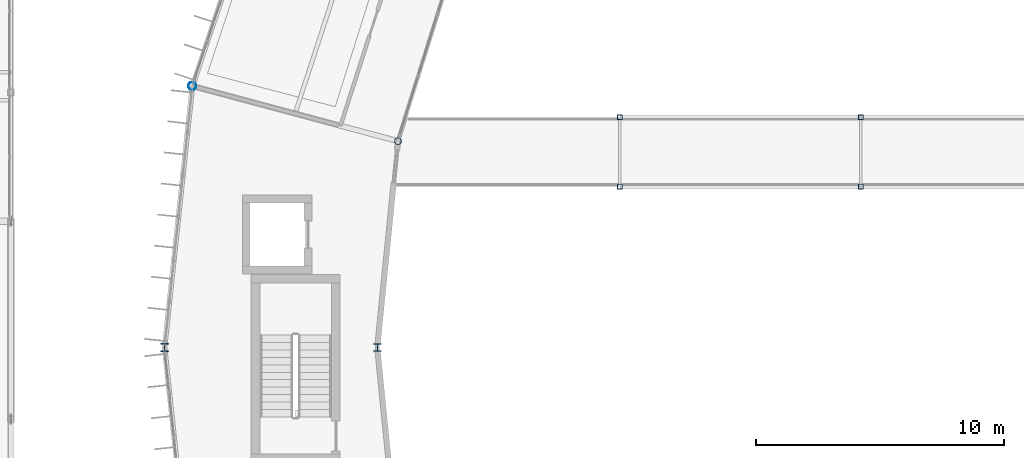
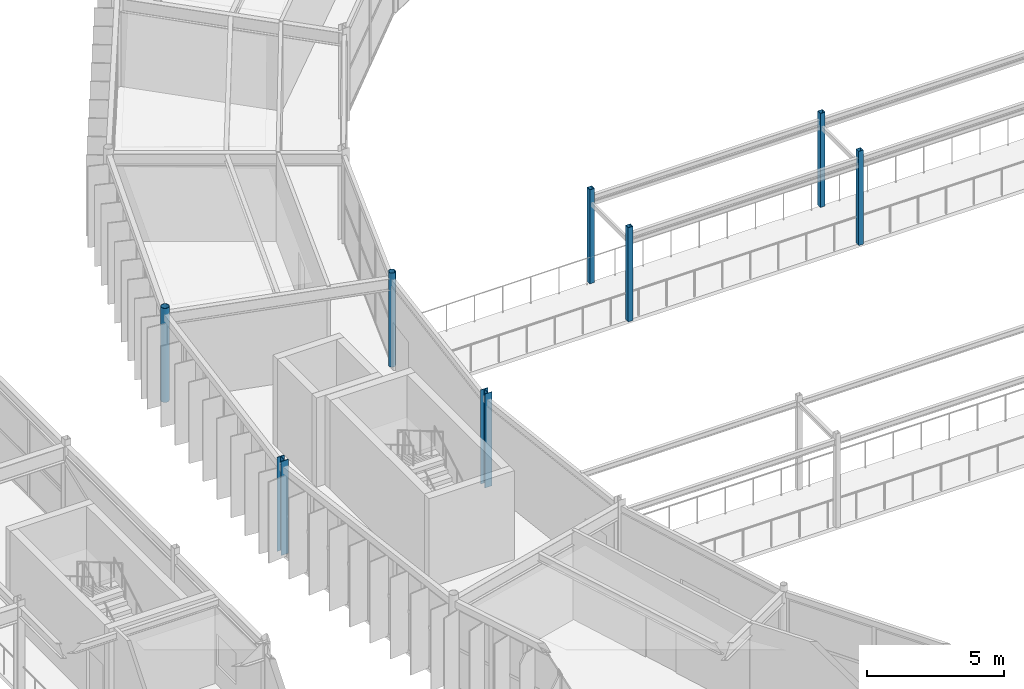
# One storey, part 6 of 148: 8 columns.
"""IFC4 building model written with IfcOpenShell, lengths in metres."""

from ifc_helpers import new_model, si_unit, direction, frame, origin, origin_2d, place, context, subcontext, project, spatial, hollow_rectangle, hollow_circle, i_section, extrude, material, material_profile, profile_set, type_object, element, save


model = new_model("IFC4")

# Units and contexts
model_context = context("Model", 3, precision=1e-05, world=origin(), true_north=direction((0.0, 1.0)))
body_context = subcontext(model_context, "Body", "Model", "MODEL_VIEW")
ifc_project = project(units=[si_unit("LENGTHUNIT", "METRE"), si_unit("AREAUNIT", "SQUARE_METRE"), si_unit("VOLUMEUNIT", "CUBIC_METRE"), si_unit("PLANEANGLEUNIT", "RADIAN"), si_unit("MASSUNIT", "GRAM", prefix="KILO")], contexts=[model_context])

# Site, building, storey
site_placement = place(None, origin())
site = spatial("IfcSite", under=ifc_project, at=site_placement, CompositionType="ELEMENT")
building_placement = place(site_placement, origin())
building = spatial("IfcBuilding", under=site, at=building_placement, Name="Karori Crest Natural Sciences Institute", CompositionType="ELEMENT")
storey_placement = place(building_placement, frame((0.0, 0.0, 4.89990234375)))
storey = spatial("IfcBuildingStorey", under=building, at=storey_placement, Name="L01", CompositionType="ELEMENT", Elevation=4.89990234375)

# Columns
ifc_material_1 = material(Name="Structural steel AS/NZS 3679.1 Grade 350", Category="steel")
ifc_material_profile_1 = material_profile(ifc_material_1, i_section(OverallWidth=0.31103515625, OverallDepth=0.326904296875, WebThickness=0.015625, FlangeThickness=0.02490234375, FilletRadius=0.01708984375, at=origin_2d()), Name="310UC158")
ifc_profile_set_1 = profile_set([ifc_material_profile_1], Name="Structural steel AS/NZS 3679.1 Grade 350")
column_type_1 = type_object("IfcColumnType", Name="CT-04", PredefinedType="COLUMN", material=ifc_profile_set_1)
column_1_placement = place(storey_placement, frame((33.39990234375, 49.89990234375, 0.0), z_axis=(0.0, 0.0, 1.0), x_axis=(1.0, 0.0, 0.0)))
element("IfcColumn", 1, at=column_1_placement, inside=storey, type_object=column_type_1, Name="Column C-0209", PredefinedType="COLUMN", context=body_context, shape_type="SweptSolid", body=[
    extrude(i_section(OverallWidth=0.31103515625, OverallDepth=0.326904296875, WebThickness=0.015625, FlangeThickness=0.02490234375, FilletRadius=0.01708984375, at=origin_2d()), origin(), (0.0, 0.0, 1.0), 4.2001953125),
])
ifc_material_profile_2 = material_profile(ifc_material_1, i_section(OverallWidth=0.306884765625, OverallDepth=0.31494140625, WebThickness=0.011962890625, FlangeThickness=0.018798828125, FilletRadius=0.01708984375, at=origin_2d()), Name="310UC118")
ifc_profile_set_2 = profile_set([ifc_material_profile_2], Name="Structural steel AS/NZS 3679.1 Grade 350")
column_type_2 = type_object("IfcColumnType", Name="CT-05", PredefinedType="COLUMN", material=ifc_profile_set_2)
column_2_placement = place(storey_placement, frame((42.0, 49.89990234375, 0.0), z_axis=(0.0, 0.0, 1.0), x_axis=(1.0, 0.0, 0.0)))
element("IfcColumn", 2, at=column_2_placement, inside=storey, type_object=column_type_2, Name="Column C-0210", PredefinedType="COLUMN", context=body_context, shape_type="SweptSolid", body=[
    extrude(i_section(OverallWidth=0.306884765625, OverallDepth=0.31494140625, WebThickness=0.011962890625, FlangeThickness=0.018798828125, FilletRadius=0.01708984375, at=origin_2d()), origin(), (0.0, 0.0, 1.0), 4.2001953125),
])
ifc_material_2 = material(Name="Hollow structural steel AS/NZS 1163 Grade C350", Category="steel")
ifc_material_profile_3 = material_profile(ifc_material_2, hollow_rectangle(XDim=0.199951171875, YDim=0.199951171875, WallThickness=0.010009765625, at=origin_2d()), Name="SHS200x200x10")
ifc_profile_set_3 = profile_set([ifc_material_profile_3], Name="Hollow structural steel AS/NZS 1163 Grade C350")
column_type_3 = type_object("IfcColumnType", Name="CT-13-EL", PredefinedType="COLUMN", material=ifc_profile_set_3)
for number, where, z_axis, x_axis, name in (
    (3, (51.7900390625, 56.39990234375, 0.0), (0.0, 0.0, 1.0), (1.0, 0.0, 0.0), "Column C-0439"),
    (4, (51.7900390625, 59.199951171875, 0.0), (0.0, 0.0, 1.0), (1.0, 0.0, 0.0), "Column C-0443"),
    (5, (61.530029296875, 56.39990234375, 0.0), (0.0, 0.0, 1.0), (1.0, 0.0, 0.0), "Column C-0447"),
    (6, (61.530029296875, 59.199951171875, 0.0), (0.0, 0.0, 1.0), (1.0, 0.0, 0.0), "Column C-0451"),
):
    element("IfcColumn", number, at=place(storey_placement, frame(where, z_axis=z_axis, x_axis=x_axis)), inside=storey, type_object=column_type_3, Name=name, PredefinedType="COLUMN", context=body_context, shape_type="SweptSolid", body=[
        extrude(hollow_rectangle(XDim=0.199951171875, YDim=0.199951171875, WallThickness=0.010009765625, at=origin_2d()), origin(), (0.0, 0.0, 1.0), 4.2001953125),
    ])
ifc_material_profile_4 = material_profile(ifc_material_2, hollow_circle(Radius=0.161865234375, WallThickness=0.0126953125, at=origin_2d()), Name="CHS323.9x12.7")
ifc_profile_set_4 = profile_set([ifc_material_profile_4], Name="Hollow structural steel AS/NZS 1163 Grade C350")
column_type_4 = type_object("IfcColumnType", Name="CT-15", PredefinedType="COLUMN", material=ifc_profile_set_4)
column_3_placement = place(storey_placement, frame((34.5244140625, 60.459716796875, 0.0), z_axis=(0.0, 0.0, 1.0), x_axis=(1.0, 0.0, 0.0)))
element("IfcColumn", 7, at=column_3_placement, inside=storey, type_object=column_type_4, Name="Column C-0193", PredefinedType="COLUMN", context=body_context, shape_type="SweptSolid", body=[
    extrude(hollow_circle(Radius=0.161865234375, WallThickness=0.0126953125, at=origin_2d()), origin(), (0.0, 0.0, 1.0), 4.2001953125),
])
ifc_material_profile_5 = material_profile(ifc_material_2, hollow_circle(Radius=0.136474609375, WallThickness=0.00927734375, at=origin_2d()), Name="CHS273.0x9.3")
ifc_profile_set_5 = profile_set([ifc_material_profile_5], Name="Hollow structural steel AS/NZS 1163 Grade C350")
column_type_5 = type_object("IfcColumnType", Name="CT-16", PredefinedType="COLUMN", material=ifc_profile_set_5)
column_4_placement = place(storey_placement, frame((42.831298828125, 58.23388671875, 0.0), z_axis=(0.0, 0.0, 1.0), x_axis=(1.0, 0.0, 0.0)))
element("IfcColumn", 8, at=column_4_placement, inside=storey, type_object=column_type_5, Name="Column C-0194", PredefinedType="COLUMN", context=body_context, shape_type="SweptSolid", body=[
    extrude(hollow_circle(Radius=0.136474609375, WallThickness=0.00927734375, at=origin_2d()), origin(), (0.0, 0.0, 1.0), 4.2001953125),
])

save(model, "model.ifc")
